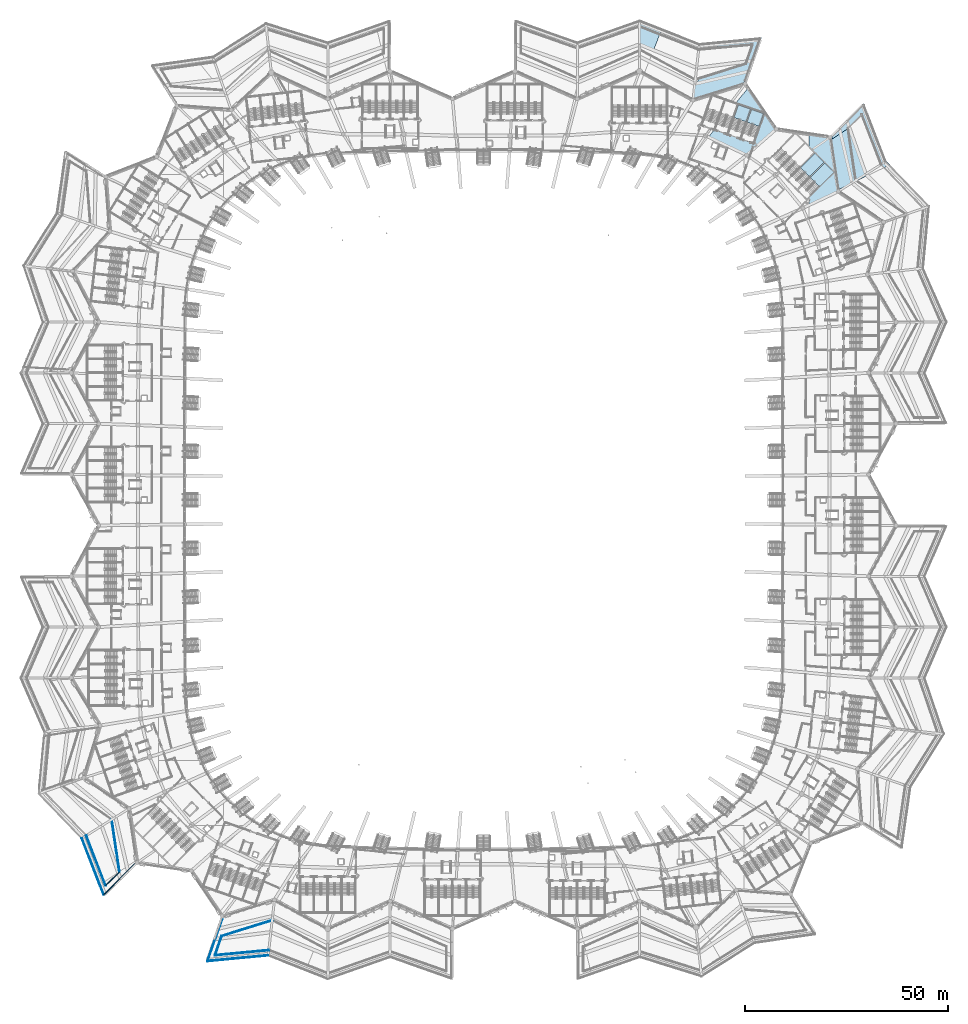
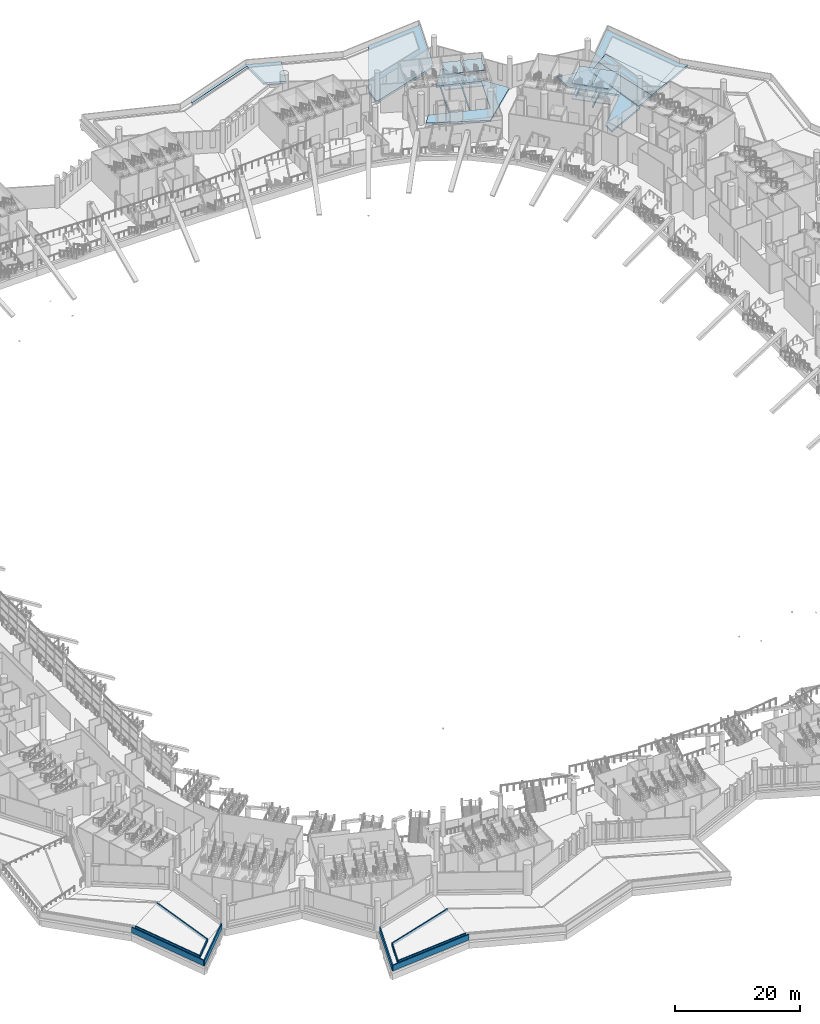
# One storey, part 40 of 173: 15 slabs, 10 walls, 4 elements without a shape of their own.
"""IFC4 building model written with IfcOpenShell, lengths in metres."""

from ifc_helpers import new_model, si_unit, direction, frame, frame_2d, origin, place, context, subcontext, project, spatial, polyline, rectangle, outline, extrude, material, layer, layer_set, type_object, element, aggregate, save


model = new_model("IFC4")

# Units and contexts
model_context = context("Model", 3, precision=1e-05, world=origin(), true_north=direction((0.0, 1.0)))
body_context = subcontext(model_context, "Body", "Model", "MODEL_VIEW")
ifc_project = project(units=[si_unit("LENGTHUNIT", "METRE"), si_unit("AREAUNIT", "SQUARE_METRE"), si_unit("VOLUMEUNIT", "CUBIC_METRE"), si_unit("PLANEANGLEUNIT", "RADIAN"), si_unit("MASSUNIT", "GRAM", prefix="KILO")], contexts=[model_context])

# Site, building, storey
site_placement = place(None, origin())
site = spatial("IfcSite", under=ifc_project, at=site_placement, CompositionType="ELEMENT")
building_placement = place(site_placement, origin())
building = spatial("IfcBuilding", under=site, at=building_placement, Name="Meseta Stadium", CompositionType="ELEMENT")
storey_placement = place(building_placement, frame((0.0, 0.0, 18.0)))
storey = spatial("IfcBuildingStorey", under=building, at=storey_placement, Name="L03", CompositionType="ELEMENT", Elevation=18.0)

# Slabs
ifc_material_1 = material(Name="Concrete C40/50", Category="concrete")
ifc_layer_1 = layer(ifc_material_1, 0.35009765625)
ifc_layer_set_1 = layer_set([ifc_layer_1], Name="Floor slab 350")
slab_type_1 = type_object("IfcSlabType", Name="Floor slab 350", PredefinedType="FLOOR", material=ifc_layer_set_1)
slab_1_placement = place(storey_placement, frame((0.0, 0.0, -0.35009765625)))
element("IfcSlab", 1, at=slab_1_placement, inside=storey, type_object=slab_type_1, Name="Floor slab L03 sector 07 panel 02", PredefinedType="FLOOR", context=body_context, shape_type="SweptSolid", body=[
    extrude(outline(polyline([(55.242919921875, 89.238037109375), (64.6220703125, 84.79248046875), (71.856689453125, 91.15087890625), (64.973388671875, 101.294921875), (61.85107421875, 97.426025390625), (62.419677734375, 97.227294921875), (59.87646484375, 89.959228515625), (56.85595703125, 91.01611328125), (56.9921875, 91.40576171875), (55.242919921875, 89.238037109375)]), holes=[polyline([(62.6083984375, 97.1611328125), (65.62890625, 96.104248046875), (63.085693359375, 88.836181640625), (60.065185546875, 89.893310546875), (62.6083984375, 97.1611328125)]), polyline([(65.8173828125, 96.0380859375), (68.837890625, 94.981201171875), (66.294921875, 87.71337890625), (63.2744140625, 88.770263671875), (65.8173828125, 96.0380859375)])]), origin(), (0.0, 0.0, 1.0), 0.35009765625),
])
slab_2_placement = place(storey_placement, frame((0.0, 0.0, -0.35009765625)))
element("IfcSlab", 2, at=slab_2_placement, inside=storey, type_object=slab_type_1, Name="Floor slab L03 sector 07 panel 08", PredefinedType="FLOOR", context=body_context, shape_type="SweptSolid", body=[
    extrude(outline(polyline([(86.093017578125, 80.61767578125), (80.0, 74.524658203125), (80.0, 72.48828125), (87.15087890625, 75.856689453125), (85.173583984375, 89.173583984375), (80.0, 89.94189453125), (80.0, 86.710693359375), (81.28466796875, 85.426025390625), (80.0, 84.141357421875), (80.0, 83.858642578125), (81.426025390625, 85.28466796875), (83.688720703125, 83.02197265625), (80.6669921875, 80.0), (80.94970703125, 80.0), (83.830078125, 82.880615234375), (86.093017578125, 80.61767578125)])), origin(), (0.0, 0.0, 1.0), 0.35009765625),
])
ifc_material_2 = material(Name="Concrete C40/50", Category="concrete")
ifc_layer_2 = layer(ifc_material_2, 0.39990234375)
ifc_layer_set_2 = layer_set([ifc_layer_2], Name="Roof garden slab 400")
slab_type_2 = type_object("IfcSlabType", Name="Roof garden slab 400", PredefinedType="ROOF", material=ifc_layer_set_2)
slab_3_placement = place(storey_placement, frame((0.0, 0.0, -0.39990234375)))
element("IfcSlab", 3, at=slab_3_placement, inside=storey, type_object=slab_type_2, Name="Roof garden slab 2 panel 03", PredefinedType="ROOF", context=body_context, shape_type="SweptSolid", body=[
    extrude(outline(polyline([(25.7548828125, 113.5703125), (25.602294921875, 112.92919921875), (38.329345703125, 117.411376953125), (38.33056640625, 117.41162109375), (38.331787109375, 117.411865234375), (38.3330078125, 117.412109375), (38.333984375, 117.412109375), (38.335205078125, 117.411865234375), (38.33642578125, 117.41162109375), (38.337646484375, 117.4111328125), (38.338623046875, 117.41064453125), (38.339599609375, 117.41015625), (38.3408203125, 117.409423828125), (38.341552734375, 117.40869140625), (38.342529296875, 117.40771484375), (38.34326171875, 117.40673828125), (38.34375, 117.40576171875), (38.34423828125, 117.40478515625), (38.3447265625, 117.403564453125), (38.34521484375, 117.40234375), (38.34521484375, 117.401123046875), (38.34521484375, 117.39990234375), (38.34521484375, 112.008056640625), (41.74951171875, 110.60888671875), (43.822509765625, 115.8330078125), (38.333251953125, 118.0), (25.7548828125, 113.5703125)])), origin(), (0.0, 0.0, 1.0), 0.39990234375),
])
slab_4_placement = place(storey_placement, frame((0.0, 0.0, -0.39990234375)))
element("IfcSlab", 4, at=slab_4_placement, inside=storey, type_object=slab_type_2, Name="Roof garden slab 2 panel 05", PredefinedType="ROOF", context=body_context, shape_type="SweptSolid", body=[
    extrude(outline(polyline([(63.793212890625, 102.29150390625), (63.810302734375, 102.421630859375), (63.860595703125, 102.543212890625), (63.94091796875, 102.647705078125), (64.04541015625, 102.727783203125), (64.1669921875, 102.7783203125), (64.297607421875, 102.79541015625), (64.427978515625, 102.7783203125), (64.462890625, 102.763916015625), (68.273193359375, 113.6533203125), (58.19482421875, 112.697998046875), (51.822021484375, 101.673095703125), (51.491943359375, 98.74169921875), (51.558837890625, 98.73291015625), (51.66845703125, 98.6875), (51.762451171875, 98.615478515625), (51.802001953125, 98.563720703125), (63.793212890625, 102.29150390625)])), origin(), (0.0, 0.0, 1.0), 0.39990234375),
])
slab_5_placement = place(storey_placement, frame((0.0, 0.0, -0.39990234375)))
element("IfcSlab", 5, at=slab_5_placement, inside=storey, type_object=slab_type_2, Name="Roof garden slab 1 part 1 panel 01", PredefinedType="ROOF", context=body_context, shape_type="SweptSolid", body=[
    extrude(outline(polyline([(90.55322265625, 77.91748046875), (87.729248046875, 90.11767578125), (85.4169921875, 88.556640625), (87.2333984375, 76.32080078125), (90.55322265625, 77.91748046875)])), origin(), (0.0, 0.0, 1.0), 0.39990234375),
])
slab_6_placement = place(storey_placement, frame((0.0, 0.0, -0.39990234375)))
element("IfcSlab", 6, at=slab_6_placement, inside=storey, type_object=slab_type_2, Name="Roof garden slab 1 part 1 panel 02", PredefinedType="ROOF", context=body_context, shape_type="SweptSolid", body=[
    extrude(outline(polyline([(87.729248046875, 90.11767578125), (90.55322265625, 77.91748046875), (94.31884765625, 79.728515625), (93.924560546875, 80.113037109375), (89.858642578125, 91.55517578125), (87.729248046875, 90.11767578125)])), origin(), (0.0, 0.0, 1.0), 0.39990234375),
])
slab_7_placement = place(storey_placement, frame((0.0, 0.0, -0.39990234375)))
element("IfcSlab", 7, at=slab_7_placement, inside=storey, type_object=slab_type_2, Name="Roof garden slab 1 part 1 panel 03", PredefinedType="ROOF", context=body_context, shape_type="SweptSolid", body=[
    extrude(outline(polyline([(99.0048828125, 83.30517578125), (93.49755859375, 97.49755859375), (85.5302734375, 89.5302734375), (85.610595703125, 89.42578125), (85.660888671875, 89.30419921875), (85.677978515625, 89.173583984375), (85.660888671875, 89.043212890625), (85.610595703125, 88.921630859375), (85.5302734375, 88.817138671875), (85.42578125, 88.737060546875), (85.392333984375, 88.722900390625), (85.4169921875, 88.556640625), (89.858642578125, 91.55517578125), (93.924560546875, 80.113037109375), (94.31884765625, 79.728515625), (99.877197265625, 82.401611328125), (99.0048828125, 83.30517578125)])), origin(), (0.0, 0.0, 1.0), 0.39990234375),
])

# Stair, slabs
ifc_material_3 = material(Name="Concrete C40/50", Category="concrete")
stair_type = type_object("IfcStairType", Name="Exit stair 4 flights 150 mm risers", PredefinedType="HALF_TURN_STAIR", material=ifc_material_3)
stair_1_placement = place(storey_placement, origin())
stair_1 = element("IfcStair", 8, at=stair_1_placement, inside=storey, type_object=stair_type, Name="ST25 L03", PredefinedType="HALF_TURN_STAIR")
ifc_material_4 = material(Name="Concrete C40/50", Category="concrete")
ifc_layer_3 = layer(ifc_material_4, 0.199951171875)
ifc_layer_set_3 = layer_set([ifc_layer_3], Name="Stair landing 200")
slab_type_3 = type_object("IfcSlabType", Name="Stair landing 200", PredefinedType="LANDING", material=ifc_layer_set_3)
slab_8_placement = place(storey_placement, frame((0.0, 0.0, 1.300048828125)))
slab_8 = element("IfcSlab", 9, at=slab_8_placement, type_object=slab_type_3, Name="ST25 L03 landing 1", PredefinedType="LANDING", context=body_context, shape_type="SweptSolid", body=[
    extrude(outline(polyline([(82.5361328125, 77.06103515625), (86.093017578125, 80.61767578125), (83.830322265625, 82.88037109375), (80.2734375, 79.32373046875), (82.5361328125, 77.06103515625)])), origin(), (0.0, 0.0, 1.0), 0.199951171875),
])
slab_9_placement = place(storey_placement, frame((0.0, 0.0, 4.300048828125)))
slab_9 = element("IfcSlab", 10, at=slab_9_placement, type_object=slab_type_3, Name="ST25 L03 landing 3", PredefinedType="LANDING", context=body_context, shape_type="SweptSolid", body=[
    extrude(outline(polyline([(82.5361328125, 77.06103515625), (86.093017578125, 80.61767578125), (83.830322265625, 82.88037109375), (80.2734375, 79.32373046875), (82.5361328125, 77.06103515625)])), origin(), (0.0, 0.0, 1.0), 0.199951171875),
])
aggregate(stair_1, [slab_8, slab_9])

stair_2_placement = place(storey_placement, origin())
stair_2 = element("IfcStair", 11, at=stair_2_placement, inside=storey, type_object=stair_type, Name="ST26 L03", PredefinedType="HALF_TURN_STAIR")
slab_10_placement = place(storey_placement, frame((0.0, 0.0, 1.300048828125)))
slab_10 = element("IfcSlab", 12, at=slab_10_placement, type_object=slab_type_3, Name="ST26 L03 landing 1", PredefinedType="LANDING", context=body_context, shape_type="SweptSolid", body=[
    extrude(outline(polyline([(80.132080078125, 79.465087890625), (83.688720703125, 83.02197265625), (81.426025390625, 85.28466796875), (77.869384765625, 81.727783203125), (80.132080078125, 79.465087890625)])), origin(), (0.0, 0.0, 1.0), 0.199951171875),
])
slab_11_placement = place(storey_placement, frame((0.0, 0.0, 4.300048828125)))
slab_11 = element("IfcSlab", 13, at=slab_11_placement, type_object=slab_type_3, Name="ST26 L03 landing 3", PredefinedType="LANDING", context=body_context, shape_type="SweptSolid", body=[
    extrude(outline(polyline([(80.132080078125, 79.465087890625), (83.688720703125, 83.02197265625), (81.426025390625, 85.28466796875), (77.869384765625, 81.727783203125), (80.132080078125, 79.465087890625)])), origin(), (0.0, 0.0, 1.0), 0.199951171875),
])
aggregate(stair_2, [slab_10, slab_11])

stair_3_placement = place(storey_placement, origin())
stair_3 = element("IfcStair", 14, at=stair_3_placement, inside=storey, type_object=stair_type, Name="ST29 L03", PredefinedType="HALF_TURN_STAIR")
slab_12_placement = place(storey_placement, frame((0.0, 0.0, 1.300048828125)))
slab_12 = element("IfcSlab", 15, at=slab_12_placement, type_object=slab_type_3, Name="ST29 L03 landing 1", PredefinedType="LANDING", context=body_context, shape_type="SweptSolid", body=[
    extrude(outline(polyline([(67.738037109375, 91.838134765625), (68.837890625, 94.981201171875), (65.817626953125, 96.0380859375), (64.7177734375, 92.89501953125), (67.738037109375, 91.838134765625)])), origin(), (0.0, 0.0, 1.0), 0.199951171875),
])
slab_13_placement = place(storey_placement, frame((0.0, 0.0, 4.300048828125)))
slab_13 = element("IfcSlab", 16, at=slab_13_placement, type_object=slab_type_3, Name="ST29 L03 landing 3", PredefinedType="LANDING", context=body_context, shape_type="SweptSolid", body=[
    extrude(outline(polyline([(67.738037109375, 91.838134765625), (68.837890625, 94.981201171875), (65.817626953125, 96.0380859375), (64.7177734375, 92.89501953125), (67.738037109375, 91.838134765625)])), origin(), (0.0, 0.0, 1.0), 0.199951171875),
])
aggregate(stair_3, [slab_12, slab_13])

stair_4_placement = place(storey_placement, origin())
stair_4 = element("IfcStair", 17, at=stair_4_placement, inside=storey, type_object=stair_type, Name="ST30 L03", PredefinedType="HALF_TURN_STAIR")
slab_14_placement = place(storey_placement, frame((0.0, 0.0, 1.300048828125)))
slab_14 = element("IfcSlab", 18, at=slab_14_placement, type_object=slab_type_3, Name="ST30 L03 landing 1", PredefinedType="LANDING", context=body_context, shape_type="SweptSolid", body=[
    extrude(outline(polyline([(64.529052734375, 92.961181640625), (65.628662109375, 96.104248046875), (62.6083984375, 97.1611328125), (61.508544921875, 94.01806640625), (64.529052734375, 92.961181640625)])), origin(), (0.0, 0.0, 1.0), 0.199951171875),
])
slab_15_placement = place(storey_placement, frame((0.0, 0.0, 4.300048828125)))
slab_15 = element("IfcSlab", 19, at=slab_15_placement, type_object=slab_type_3, Name="ST30 L03 landing 3", PredefinedType="LANDING", context=body_context, shape_type="SweptSolid", body=[
    extrude(outline(polyline([(64.529052734375, 92.961181640625), (65.628662109375, 96.104248046875), (62.6083984375, 97.1611328125), (61.508544921875, 94.01806640625), (64.529052734375, 92.961181640625)])), origin(), (0.0, 0.0, 1.0), 0.199951171875),
])
aggregate(stair_4, [slab_14, slab_15])

# Walls
ifc_material_5 = material(Name="Precast concrete C40/50", Category="concrete")
ifc_layer_4 = layer(ifc_material_5, 0.199951171875)
ifc_layer_set_4 = layer_set([ifc_layer_4], Name="Planter kerb 200")
wall_type_1 = type_object("IfcWallType", Name="Planter kerb 200", PredefinedType="USERDEFINED", material=ifc_layer_set_4)
wall_1_placement = place(storey_placement, frame((-91.45068359375, -78.55859375, 0.0), z_axis=(0.0, 0.0, 1.0), x_axis=(0.146852837253, -0.989158351423, 0.0)))
element("IfcWall", 20, at=wall_1_placement, inside=storey, type_object=wall_type_1, Name="Planter kerb 5.1.11", ObjectType="PLANTER", PredefinedType="USERDEFINED", context=body_context, shape_type="SweptSolid", body=[
    extrude(rectangle(XDim=13.002197265625, YDim=0.199951171875, at=frame_2d((6.5009765625, 0.0))), origin(), (0.0, 0.0, 1.0), 0.5),
])
wall_2_placement = place(storey_placement, frame((-89.541259765625, -91.419921875, 0.0), z_axis=(0.0, 0.0, 1.0), x_axis=(-0.707106781187, -0.707106781187, 0.0)))
element("IfcWall", 21, at=wall_2_placement, inside=storey, type_object=wall_type_1, Name="Planter kerb 5.1.12", ObjectType="PLANTER", PredefinedType="USERDEFINED", context=body_context, shape_type="SweptSolid", body=[
    extrude(rectangle(XDim=4.79443359375, YDim=0.199951171875, at=frame_2d((2.397216796875, 0.0))), origin(), (0.0, 0.0, 1.0), 0.5),
])
wall_3_placement = place(storey_placement, frame((-92.931396484375, -94.81005859375, 0.0), z_axis=(0.0, 0.0, 1.0), x_axis=(-0.361774454686, 0.932265650948, 0.0)))
element("IfcWall", 22, at=wall_3_placement, inside=storey, type_object=wall_type_1, Name="Planter kerb 5.1.13", ObjectType="PLANTER", PredefinedType="USERDEFINED", context=body_context, shape_type="SweptSolid", body=[
    extrude(rectangle(XDim=13.224853515625, YDim=0.199951171875, at=frame_2d((6.6123046875, 0.0))), origin(), (0.0, 0.0, 1.0), 0.5),
])
wall_4_placement = place(storey_placement, frame((-52.79248046875, -110.67919921875, 0.0), z_axis=(0.0, 0.0, 1.0), x_axis=(-0.995538597776, -0.094355181833, 0.0)))
element("IfcWall", 23, at=wall_4_placement, inside=storey, type_object=wall_type_1, Name="Planter kerb 6.1.1", ObjectType="PLANTER", PredefinedType="USERDEFINED", context=body_context, shape_type="SweptSolid", body=[
    extrude(rectangle(XDim=13.351318359375, YDim=0.199951171875, at=frame_2d((6.67578125, 0.0))), origin(), (0.0, 0.0, 1.0), 0.5),
])
wall_5_placement = place(storey_placement, frame((-66.084228515625, -111.93896484375, 0.0), z_axis=(0.0, 0.0, 1.0), x_axis=(0.330272436144, 0.943885648754, 0.0)))
element("IfcWall", 24, at=wall_5_placement, inside=storey, type_object=wall_type_1, Name="Planter kerb 6.1.2", ObjectType="PLANTER", PredefinedType="USERDEFINED", context=body_context, shape_type="SweptSolid", body=[
    extrude(rectangle(XDim=5.02001953125, YDim=0.199951171875, at=frame_2d((2.510009765625, 0.0))), origin(), (0.0, 0.0, 1.0), 0.5),
])
wall_6_placement = place(storey_placement, frame((-64.42626953125, -107.20068359375, 0.0), z_axis=(0.0, 0.0, 1.0), x_axis=(0.95491792538, 0.296869930759, 0.0)))
element("IfcWall", 25, at=wall_6_placement, inside=storey, type_object=wall_type_1, Name="Planter kerb 6.1.3", ObjectType="PLANTER", PredefinedType="USERDEFINED", context=body_context, shape_type="SweptSolid", body=[
    extrude(rectangle(XDim=13.08251953125, YDim=0.199951171875, at=frame_2d((6.541259765625, 0.0))), origin(), (0.0, 0.0, 1.0), 0.5),
])
ifc_material_6 = material(Name="Concrete C40/50", Category="concrete")
ifc_layer_5 = layer(ifc_material_6, 0.199951171875)
ifc_layer_set_5 = layer_set([ifc_layer_5], Name="Roof parapet 200")
wall_type_2 = type_object("IfcWallType", Name="Roof parapet 200", PredefinedType="PARAPET", material=ifc_layer_set_5)
wall_7_placement = place(storey_placement, frame((-85.835693359375, -89.482177734375, 0.0), z_axis=(0.0, 0.0, 1.0), x_axis=(-0.707106781187, -0.707106781187, 0.0)))
element("IfcWall", 26, at=wall_7_placement, inside=storey, type_object=wall_type_2, Name="Roof parapet 5.34.1", PredefinedType="PARAPET", context=body_context, shape_type="SweptSolid", body=[
    extrude(rectangle(XDim=10.701904296875, YDim=0.199951171875, at=frame_2d((5.35107421875, 0.0))), origin(), (0.0, 0.0, 1.0), 1.10009765625),
])
wall_8_placement = place(storey_placement, frame((-93.403076171875, -97.049560546875, 0.0), z_axis=(0.0, 0.0, 1.0), x_axis=(-0.36177363073, 0.932265970691, 0.0)))
element("IfcWall", 27, at=wall_8_placement, inside=storey, type_object=wall_type_2, Name="Roof parapet 5.35.1", PredefinedType="PARAPET", context=body_context, shape_type="SweptSolid", body=[
    extrude(rectangle(XDim=14.890380859375, YDim=0.199951171875, at=frame_2d((7.4453125, 0.0))), origin(), (0.0, 0.0, 1.0), 1.10009765625),
])
wall_9_placement = place(storey_placement, frame((-52.972900390625, -111.951904296875, 0.0), z_axis=(0.0, 0.0, 1.0), x_axis=(-0.995538812454, -0.094352916742, 0.0)))
element("IfcWall", 28, at=wall_9_placement, inside=storey, type_object=wall_type_2, Name="Roof parapet 6.37.1", PredefinedType="PARAPET", context=body_context, shape_type="SweptSolid", body=[
    extrude(rectangle(XDim=15.00244140625, YDim=0.199951171875, at=frame_2d((7.501220703125, 0.0))), origin(), (0.0, 0.0, 1.0), 1.10009765625),
])
wall_10_placement = place(storey_placement, frame((-67.908447265625, -113.367431640625, 0.0), z_axis=(0.0, 0.0, 1.0), x_axis=(0.330284944562, 0.943881271875, 0.0)))
element("IfcWall", 29, at=wall_10_placement, inside=storey, type_object=wall_type_2, Name="Roof parapet 6.38.1", PredefinedType="PARAPET", context=body_context, shape_type="SweptSolid", body=[
    extrude(rectangle(XDim=10.96142578125, YDim=0.199951171875, at=frame_2d((5.480712890625, 0.0))), origin(), (0.0, 0.0, 1.0), 1.10009765625),
])

save(model, "model.ifc")
